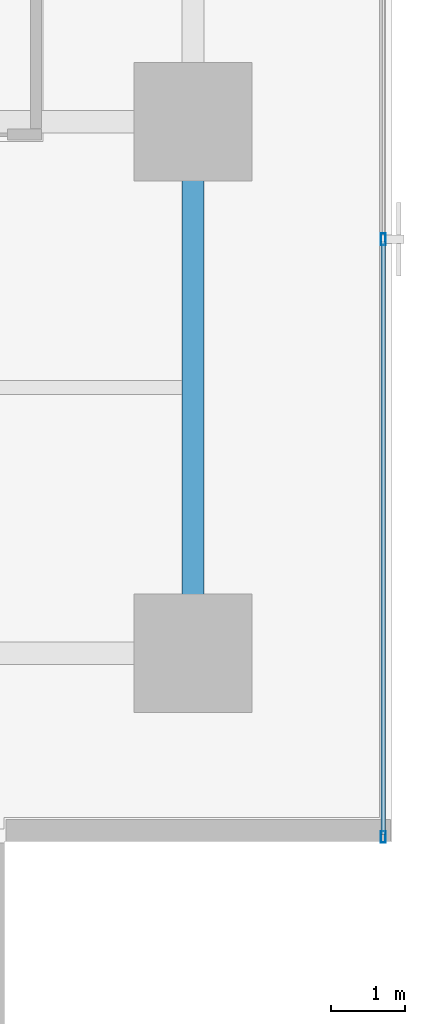
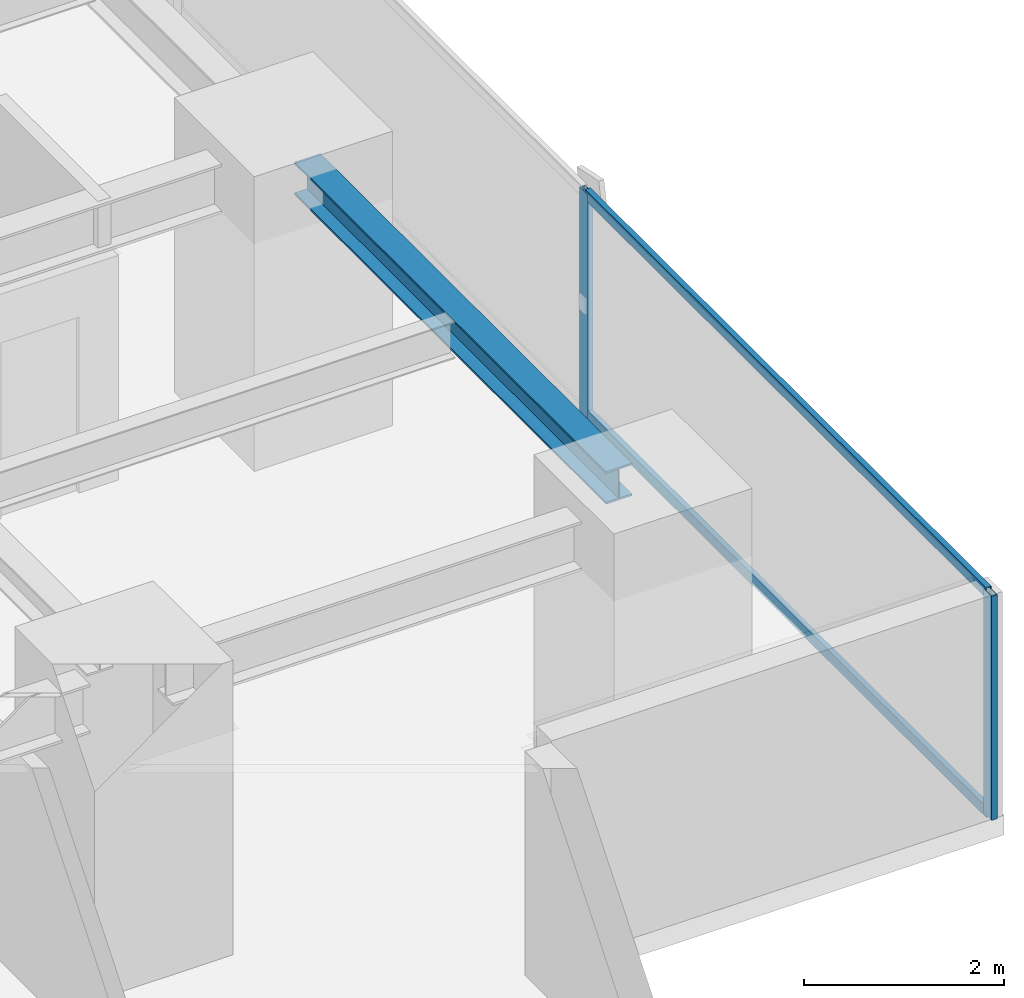
# One storey, part 14 of 36: 4 members, 1 beam, 1 element without a shape of its own.
"""IFC4 building model written with IfcOpenShell, lengths in metres."""

from ifc_helpers import new_model, si_unit, direction, frame, origin, origin_2d, place, context, subcontext, project, spatial, hollow_rectangle, i_section, extrude, source, transform, mapped, material, layer, layer_set, material_profile, profile_set, type_object, element, aggregate, save


model = new_model("IFC4")

# Units and contexts
model_context = context("Model", 3, precision=1e-05, world=origin(), true_north=direction((0.0, 1.0)))
body_context = subcontext(model_context, "Body", "Model", "MODEL_VIEW")
ifc_project = project(units=[si_unit("LENGTHUNIT", "METRE"), si_unit("AREAUNIT", "SQUARE_METRE"), si_unit("VOLUMEUNIT", "CUBIC_METRE"), si_unit("PLANEANGLEUNIT", "RADIAN"), si_unit("MASSUNIT", "GRAM", prefix="KILO")], contexts=[model_context])

# Site, building, storey
site_placement = place(None, origin())
site = spatial("IfcSite", under=ifc_project, at=site_placement, CompositionType="ELEMENT")
building_placement = place(site_placement, origin())
building = spatial("IfcBuilding", under=site, at=building_placement, Name="Sumidabori Civic Tower", CompositionType="ELEMENT")
storey_placement = place(building_placement, frame((0.0, 0.0, 92.0)))
storey = spatial("IfcBuildingStorey", under=building, at=storey_placement, Name="L23", CompositionType="ELEMENT", Elevation=92.0)

# Beam
ifc_material_1 = material(Name="Steel SN490", Category="steel")
ifc_material_profile_1 = material_profile(ifc_material_1, i_section(OverallWidth=0.300048828125, OverallDepth=0.39990234375, WebThickness=0.013427734375, FlangeThickness=0.02392578125, at=origin_2d()), Name="HE 400 B")
ifc_profile_set_1 = profile_set([ifc_material_profile_1], Name="Steel SN490")
beam_type = type_object("IfcBeamType", Name="BM-GIRD-400", PredefinedType="BEAM", material=ifc_profile_set_1)
shared_shape_1 = source(origin(), body_context, "Body", "SweptSolid", [
    extrude(i_section(OverallWidth=0.300048828125, OverallDepth=0.39990234375, WebThickness=0.013427734375, FlangeThickness=0.02392578125, at=origin_2d()), origin(), (0.0, 0.0, 1.0), 6.239990234375),
])
beam_placement = place(storey_placement, frame((22.800048828125, -17.52001953125, 3.159912109375), z_axis=(0.0, 1.0, 0.0), x_axis=(-1.0, 0.0, 0.0)))
element("IfcBeam", 1, at=beam_placement, inside=storey, type_object=beam_type, Name="Primary Girder L23 GY-39", PredefinedType="BEAM", context=body_context, shape_type="MappedRepresentation", body=[
    mapped(shared_shape_1, transform((0.0, 0.0, 0.0), x_axis=(1.0, 0.0, 0.0), y_axis=(0.0, 1.0, 0.0), z_axis=(0.0, 0.0, 1.0), scale=1.0)),
])

# Curtain wall, members
ifc_material_2 = material(Name="Anodised Bronze Aluminium AW-6063-T6", Category="aluminium")
ifc_layer = layer(ifc_material_2, 0.179931640625, Name="Anodised Bronze Aluminium AW-6063-T6")
ifc_layer_set = layer_set([ifc_layer], Name="Anodised Bronze Aluminium AW-6063-T6")
curtain_wall_type = type_object("IfcCurtainWallType", Name="CW-SYS-3", PredefinedType="NOTDEFINED", material=ifc_layer_set)
curtain_wall_placement = place(storey_placement, origin())
curtain_wall = element("IfcCurtainWall", 2, at=curtain_wall_placement, inside=storey, type_object=curtain_wall_type, Name="Curtain Wall CW:L23:R04", PredefinedType="NOTDEFINED")
ifc_material_profile_2 = material_profile(ifc_material_2, hollow_rectangle(XDim=0.06494140625, YDim=0.159912109375, WallThickness=0.0048828125, at=origin_2d()), Name="ALU MULLION 160x65")
ifc_profile_set_2 = profile_set([ifc_material_profile_2], Name="Anodised Bronze Aluminium AW-6063-T6")
member_type_1 = type_object("IfcMemberType", Name="CW-MUL-160", PredefinedType="MULLION", material=ifc_profile_set_2)
shared_shape_2 = source(origin(), body_context, "Body", "SweptSolid", [
    extrude(hollow_rectangle(XDim=0.06494140625, YDim=0.159912109375, WallThickness=0.0048828125, at=origin_2d()), origin(), (0.0, 0.0, 1.0), 2.739990234375),
])
member_1_placement = place(storey_placement, frame((25.3798828125, -20.487548828125, 0.0), z_axis=(0.0, 0.0, 1.0), x_axis=(-1.0, 0.0, 0.0)))
member_1 = element("IfcMember", 3, at=member_1_placement, type_object=member_type_1, Name="CW-3 mullion 1", PredefinedType="MULLION", context=body_context, shape_type="MappedRepresentation", body=[
    mapped(shared_shape_2, transform((0.0, 0.0, 0.0), x_axis=(1.0, 0.0, 0.0), y_axis=(0.0, 1.0, 0.0), z_axis=(0.0, 0.0, 1.0), scale=1.0)),
])
member_2_placement = place(storey_placement, frame((25.3798828125, -12.39208984375, 0.0), z_axis=(0.0, 0.0, 1.0), x_axis=(-1.0, 0.0, 0.0)))
member_2 = element("IfcMember", 4, at=member_2_placement, type_object=member_type_1, Name="CW-3 mullion 2", PredefinedType="MULLION", context=body_context, shape_type="MappedRepresentation", body=[
    mapped(shared_shape_2, transform((0.0, 0.0, 0.0), x_axis=(1.0, 0.0, 0.0), y_axis=(0.0, 1.0, 0.0), z_axis=(0.0, 0.0, 1.0), scale=1.0)),
])
ifc_material_profile_3 = material_profile(ifc_material_2, hollow_rectangle(XDim=0.06005859375, YDim=0.1298828125, WallThickness=0.0048828125, at=origin_2d()), Name="ALU TRANSOM 130x60")
ifc_profile_set_3 = profile_set([ifc_material_profile_3], Name="Anodised Bronze Aluminium AW-6063-T6")
member_type_2 = type_object("IfcMemberType", Name="CW-TRN-130", PredefinedType="USERDEFINED", material=ifc_profile_set_3)
shared_shape_3 = source(origin(), body_context, "Body", "SweptSolid", [
    extrude(hollow_rectangle(XDim=0.06005859375, YDim=0.1298828125, WallThickness=0.0048828125, at=origin_2d()), origin(), (0.0, 0.0, 1.0), 8.030517578125),
])
member_3_placement = place(storey_placement, frame((25.3798828125, -20.455078125, 0.030029296875), z_axis=(0.0, 1.0, 0.0), x_axis=(-1.0, 0.0, 0.0)))
member_3 = element("IfcMember", 5, at=member_3_placement, type_object=member_type_2, Name="CW-3 transom 1.1", ObjectType="TRANSOM", PredefinedType="USERDEFINED", context=body_context, shape_type="MappedRepresentation", body=[
    mapped(shared_shape_3, transform((0.0, 0.0, 0.0), x_axis=(1.0, 0.0, 0.0), y_axis=(0.0, 1.0, 0.0), z_axis=(0.0, 0.0, 1.0), scale=1.0)),
])
member_4_placement = place(storey_placement, frame((25.3798828125, -20.455078125, 2.7099609375), z_axis=(0.0, 1.0, 0.0), x_axis=(-1.0, 0.0, 0.0)))
member_4 = element("IfcMember", 6, at=member_4_placement, type_object=member_type_2, Name="CW-3 transom 1.2", ObjectType="TRANSOM", PredefinedType="USERDEFINED", context=body_context, shape_type="MappedRepresentation", body=[
    mapped(shared_shape_3, transform((0.0, 0.0, 0.0), x_axis=(1.0, 0.0, 0.0), y_axis=(0.0, 1.0, 0.0), z_axis=(0.0, 0.0, 1.0), scale=1.0)),
])
aggregate(curtain_wall, [member_1, member_2, member_3, member_4])

save(model, "model.ifc")
